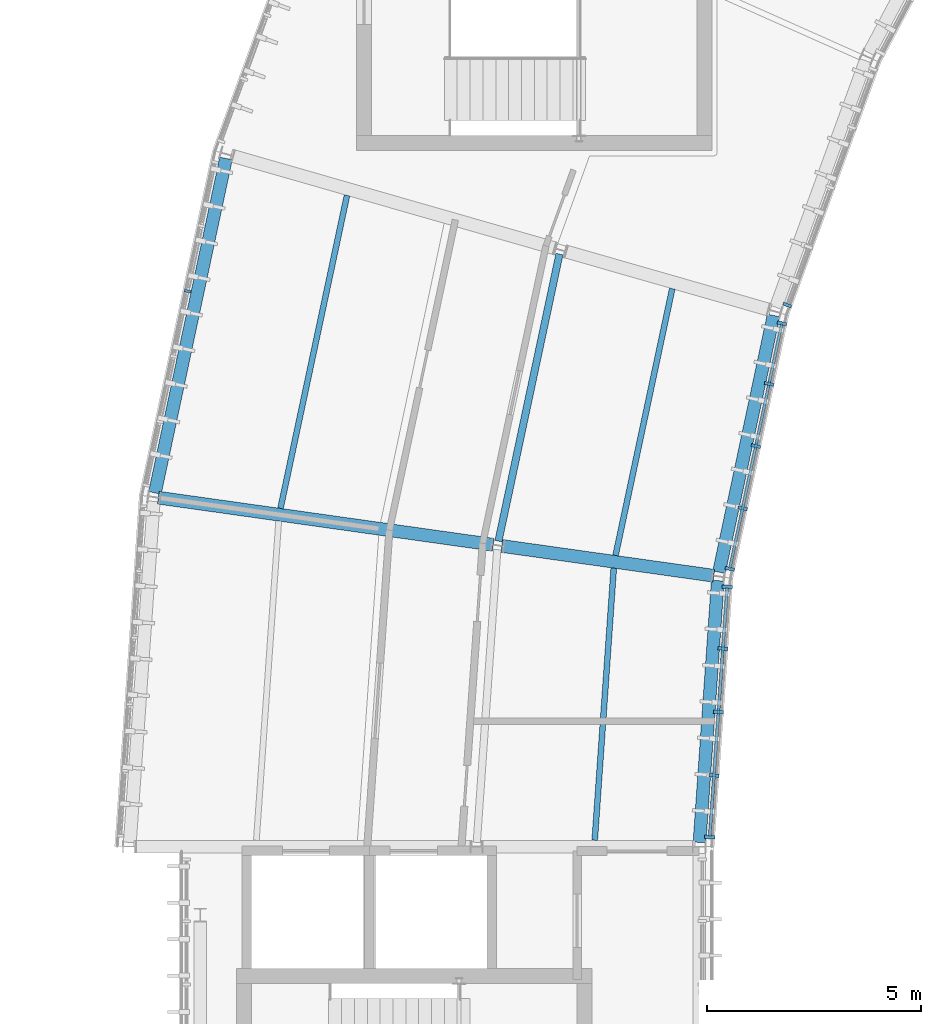
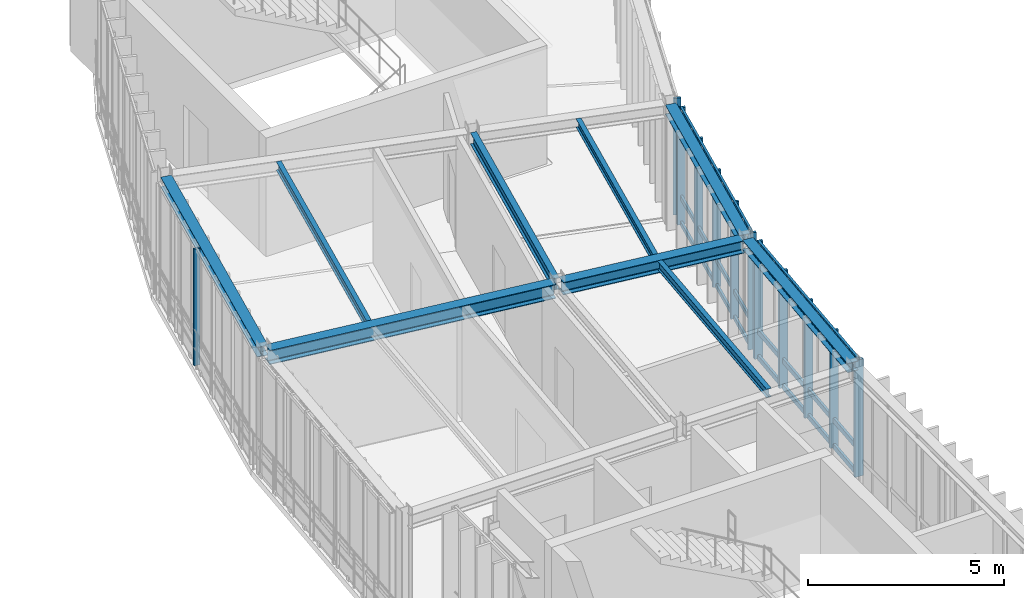
# One storey, part 9 of 42: 18 members, 9 beams, 4 elements without a shape of their own.
"""IFC4 building model written with IfcOpenShell, lengths in metres."""

from ifc_helpers import new_model, si_unit, direction, frame, origin, origin_2d, place, context, subcontext, project, spatial, rectangle, i_section, extrude, material, layer, layer_set, material_profile, profile_set, type_object, element, aggregate, save


model = new_model("IFC4")

# Units and contexts
model_context = context("Model", 3, precision=1e-05, world=origin(), true_north=direction((0.0, 1.0)))
body_context = subcontext(model_context, "Body", "Model", "MODEL_VIEW")
ifc_project = project(units=[si_unit("LENGTHUNIT", "METRE"), si_unit("AREAUNIT", "SQUARE_METRE"), si_unit("VOLUMEUNIT", "CUBIC_METRE"), si_unit("PLANEANGLEUNIT", "RADIAN"), si_unit("MASSUNIT", "GRAM", prefix="KILO"), si_unit("THERMODYNAMICTEMPERATUREUNIT", "KELVIN"), si_unit("POWERUNIT", "WATT")], contexts=[model_context])

# Site, building, storey
site_placement = place(None, origin())
site = spatial("IfcSite", under=ifc_project, at=site_placement, CompositionType="ELEMENT")
building_placement = place(site_placement, origin())
building = spatial("IfcBuilding", under=site, at=building_placement, Name="Solvatero Civic Police Headquarters", CompositionType="ELEMENT")
storey_placement = place(building_placement, frame((0.0, 0.0, 21.60009765625)))
storey = spatial("IfcBuildingStorey", under=building, at=storey_placement, Name="L05", CompositionType="ELEMENT", Elevation=21.60009765625)

# Beams
ifc_material_1 = material(Name="Steel S355", Category="steel")
ifc_material_profile_1 = material_profile(ifc_material_1, i_section(OverallWidth=0.300048828125, OverallDepth=0.2900390625, WebThickness=0.008544921875, FlangeThickness=0.013916015625, FilletRadius=0.027099609375, at=origin_2d()), Name="HEA 300")
ifc_profile_set_1 = profile_set([ifc_material_profile_1], Name="Steel S355")
beam_type_1 = type_object("IfcBeamType", Name="BM-ST-HEA300", PredefinedType="SPANDREL", material=ifc_profile_set_1)
beam_1_placement = place(storey_placement, frame((50.385986328125, 38.40234375, 3.554931640625), z_axis=(-0.207917848731, -0.978146291809, 0.0), x_axis=(0.978146291809, -0.207917848731, 0.0)))
element("IfcBeam", 1, at=beam_1_placement, inside=storey, type_object=beam_type_1, Name="Perimeter / radial spandrel beam BM-R2-L05-ARC-CIN-B11", PredefinedType="SPANDREL", context=body_context, shape_type="SweptSolid", body=[
    extrude(i_section(OverallWidth=0.300048828125, OverallDepth=0.2900390625, WebThickness=0.008544921875, FlangeThickness=0.013916015625, FilletRadius=0.027099609375, at=origin_2d()), origin(), (0.0, 0.0, 1.0), 6.126953125),
])
beam_2_placement = place(storey_placement, frame((49.084228515625, 32.211669921875, 3.554931640625), z_axis=(-0.069734750573, -0.997565569054, 0.0), x_axis=(0.997565569054, -0.069734750573, 0.0)))
element("IfcBeam", 2, at=beam_2_placement, inside=storey, type_object=beam_type_1, Name="Perimeter / radial spandrel beam BM-R2-L05-ARC-CIN-B12", PredefinedType="SPANDREL", context=body_context, shape_type="SweptSolid", body=[
    extrude(i_section(OverallWidth=0.300048828125, OverallDepth=0.2900390625, WebThickness=0.008544921875, FlangeThickness=0.013916015625, FilletRadius=0.027099609375, at=origin_2d()), origin(), (0.0, 0.0, 1.0), 6.126708984375),
])
ifc_material_profile_2 = material_profile(ifc_material_1, i_section(OverallWidth=0.300048828125, OverallDepth=0.31005859375, WebThickness=0.009033203125, FlangeThickness=0.015380859375, FilletRadius=0.027099609375, at=origin_2d()), Name="HEA 320")
ifc_profile_set_2 = profile_set([ifc_material_profile_2], Name="Steel S355")
beam_type_2 = type_object("IfcBeamType", Name="BM-ST-HEA320", PredefinedType="SPANDREL", material=ifc_profile_set_2)
beam_3_placement = place(storey_placement, frame((37.601318359375, 42.068359375, 3.544921875), z_axis=(-0.207912160321, -0.978147500938, 0.0), x_axis=(0.978147500938, -0.207912160321, 0.0)))
element("IfcBeam", 3, at=beam_3_placement, inside=storey, type_object=beam_type_2, Name="Perimeter / radial spandrel beam BM-R2-L05-ARC-COUT-B11", PredefinedType="SPANDREL", context=body_context, shape_type="SweptSolid", body=[
    extrude(i_section(OverallWidth=0.300048828125, OverallDepth=0.31005859375, WebThickness=0.009033203125, FlangeThickness=0.015380859375, FilletRadius=0.027099609375, at=origin_2d()), origin(), (0.0, 0.0, 1.0), 7.982666015625),
])
ifc_material_profile_3 = material_profile(ifc_material_1, i_section(OverallWidth=0.300048828125, OverallDepth=0.389892578125, WebThickness=0.010986328125, FlangeThickness=0.01904296875, FilletRadius=0.027099609375, at=origin_2d()), Name="HEA 400")
ifc_profile_set_3 = profile_set([ifc_material_profile_3], Name="Steel S355")
beam_type_3 = type_object("IfcBeamType", Name="BM-ST-HEA400", PredefinedType="BEAM", material=ifc_profile_set_3)
beam_4_placement = place(storey_placement, frame((48.9921875, 32.325439453125, 3.5048828125), z_axis=(-0.990269200152, 0.139165050317, 0.0), x_axis=(-0.139165050317, -0.990269200152, 0.0)))
element("IfcBeam", 4, at=beam_4_placement, inside=storey, type_object=beam_type_3, Name="Primary girder BM-R2-L05-ARC-RAD1-S11", PredefinedType="BEAM", context=body_context, shape_type="SweptSolid", body=[
    extrude(i_section(OverallWidth=0.300048828125, OverallDepth=0.389892578125, WebThickness=0.010986328125, FlangeThickness=0.01904296875, FilletRadius=0.027099609375, at=origin_2d()), origin(), (0.0, 0.0, 1.0), 4.999755859375),
])
ifc_material_profile_4 = material_profile(ifc_material_1, i_section(OverallWidth=0.300048828125, OverallDepth=0.43994140625, WebThickness=0.011474609375, FlangeThickness=0.02099609375, FilletRadius=0.027099609375, at=origin_2d()), Name="HEA 450")
ifc_profile_set_4 = profile_set([ifc_material_profile_4], Name="Steel S355")
beam_type_4 = type_object("IfcBeamType", Name="BM-ST-HEA450", PredefinedType="BEAM", material=ifc_profile_set_4)
beam_5_placement = place(storey_placement, frame((43.843017578125, 33.049072265625, 3.47998046875), z_axis=(-0.990265898664, 0.139188540993, 0.0), x_axis=(-0.139188540993, -0.990265898664, 0.0)))
element("IfcBeam", 5, at=beam_5_placement, inside=storey, type_object=beam_type_4, Name="Primary girder BM-R2-L05-ARC-RAD2-S11", PredefinedType="BEAM", context=body_context, shape_type="SweptSolid", body=[
    extrude(i_section(OverallWidth=0.300048828125, OverallDepth=0.43994140625, WebThickness=0.011474609375, FlangeThickness=0.02099609375, FilletRadius=0.027099609375, at=origin_2d()), origin(), (0.0, 0.0, 1.0), 7.900146484375),
])
ifc_material_profile_5 = material_profile(ifc_material_1, i_section(OverallWidth=0.135009765625, OverallDepth=0.27001953125, WebThickness=0.006591796875, FlangeThickness=0.01025390625, FilletRadius=0.014892578125, at=origin_2d()), Name="IPE 270")
ifc_profile_set_5 = profile_set([ifc_material_profile_5], Name="Steel S355")
beam_type_5 = type_object("IfcBeamType", Name="BM-ST-IPE270", PredefinedType="BEAM", material=ifc_profile_set_5)
beam_6_placement = place(storey_placement, frame((48.0205078125, 39.02880859375, 3.56494140625), z_axis=(-0.207926610171, -0.978144429409, 0.0), x_axis=(0.978144429409, -0.207926610171, 0.0)))
element("IfcBeam", 6, at=beam_6_placement, inside=storey, type_object=beam_type_5, Name="Composite floor beam BM-R2-L05-ARC-CS1-B11", PredefinedType="BEAM", context=body_context, shape_type="SweptSolid", body=[
    extrude(i_section(OverallWidth=0.135009765625, OverallDepth=0.27001953125, WebThickness=0.006591796875, FlangeThickness=0.01025390625, FilletRadius=0.014892578125, at=origin_2d()), origin(), (0.0, 0.0, 1.0), 6.36865234375),
])
beam_7_placement = place(storey_placement, frame((40.426513671875, 41.206298828125, 3.56494140625), z_axis=(-0.207904092949, -0.97814921568, 0.0), x_axis=(0.97814921568, -0.207904092949, 0.0)))
element("IfcBeam", 7, at=beam_7_placement, inside=storey, type_object=beam_type_5, Name="Composite floor beam BM-R2-L05-ARC-CS2-B11", PredefinedType="BEAM", context=body_context, shape_type="SweptSolid", body=[
    extrude(i_section(OverallWidth=0.135009765625, OverallDepth=0.27001953125, WebThickness=0.006591796875, FlangeThickness=0.01025390625, FilletRadius=0.014892578125, at=origin_2d()), origin(), (0.0, 0.0, 1.0), 7.470947265625),
])
beam_8_placement = place(storey_placement, frame((46.65478515625, 32.5029296875, 3.56494140625), z_axis=(-0.069767710919, -0.997563264416, 0.0), x_axis=(0.997563264416, -0.069767710919, 0.0)))
element("IfcBeam", 8, at=beam_8_placement, inside=storey, type_object=beam_type_5, Name="Composite floor beam BM-R2-L05-ARC-CS1-B12", PredefinedType="BEAM", context=body_context, shape_type="SweptSolid", body=[
    extrude(i_section(OverallWidth=0.135009765625, OverallDepth=0.27001953125, WebThickness=0.006591796875, FlangeThickness=0.01025390625, FilletRadius=0.014892578125, at=origin_2d()), origin(), (0.0, 0.0, 1.0), 6.368896484375),
])
ifc_material_profile_6 = material_profile(ifc_material_1, i_section(OverallWidth=0.169921875, OverallDepth=0.360107421875, WebThickness=0.008056640625, FlangeThickness=0.0126953125, FilletRadius=0.01806640625, at=origin_2d()), Name="IPE 360")
ifc_profile_set_6 = profile_set([ifc_material_profile_6], Name="Steel S355")
beam_type_6 = type_object("IfcBeamType", Name="BM-ST-IPE360", PredefinedType="BEAM", material=ifc_profile_set_6)
beam_9_placement = place(storey_placement, frame((45.387451171875, 39.835693359375, 3.52001953125), z_axis=(-0.207927785808, -0.9781441795, 0.0), x_axis=(0.9781441795, -0.207927785808, 0.0)))
element("IfcBeam", 9, at=beam_9_placement, inside=storey, type_object=beam_type_6, Name="Composite floor beam BM-R2-L05-ARC-CMID-B11", PredefinedType="BEAM", context=body_context, shape_type="SweptSolid", body=[
    extrude(i_section(OverallWidth=0.169921875, OverallDepth=0.360107421875, WebThickness=0.008056640625, FlangeThickness=0.0126953125, FilletRadius=0.01806640625, at=origin_2d()), origin(), (0.0, 0.0, 1.0), 6.852294921875),
])

# Curtain wall, members
ifc_material_2 = material(Name="Anodized Bronze Aluminium", Category="aluminium")
ifc_layer_1 = layer(ifc_material_2, 0.179931640625)
ifc_layer_set_1 = layer_set([ifc_layer_1], Name="Anodized Bronze Aluminium")
curtain_wall_type_1 = type_object("IfcCurtainWallType", Name="CW-ARC-IN", PredefinedType="USERDEFINED", material=ifc_layer_set_1)
curtain_wall_1_placement = place(storey_placement, origin())
curtain_wall_1 = element("IfcCurtainWall", 10, at=curtain_wall_1_placement, inside=storey, type_object=curtain_wall_type_1, Name="Curtain Wall CW-R2-L05-ARC-IN-B12", ObjectType="UNITISED", PredefinedType="USERDEFINED")
ifc_material_profile_7 = material_profile(ifc_material_2, rectangle(XDim=0.080078125, YDim=0.239990234375, at=origin_2d()), Name="ALU MULLION 80x240")
ifc_profile_set_7 = profile_set([ifc_material_profile_7], Name="Anodized Bronze Aluminium")
member_type_1 = type_object("IfcMemberType", Name="CWM-140x60", PredefinedType="MULLION", material=ifc_profile_set_7)
member_1_placement = place(storey_placement, frame((49.30419921875, 32.06591796875, 0.0), z_axis=(0.0, 0.0, 1.0), x_axis=(-0.069773884511, -0.997562832628, 0.0)))
member_1 = element("IfcMember", 11, at=member_1_placement, type_object=member_type_1, Name="CW-R2-L05-ARC-IN-B12 Mullion 1", PredefinedType="MULLION", context=body_context, shape_type="SweptSolid", body=[
    extrude(rectangle(XDim=0.080078125, YDim=0.239990234375, at=origin_2d()), origin(), (0.0, 0.0, 1.0), 3.639892578125),
])
member_2_placement = place(storey_placement, frame((49.20361328125, 30.625244140625, 0.0), z_axis=(0.0, 0.0, 1.0), x_axis=(-0.069773884511, -0.997562832628, 0.0)))
member_2 = element("IfcMember", 12, at=member_2_placement, type_object=member_type_1, Name="CW-R2-L05-ARC-IN-B12 Mullion 2", PredefinedType="MULLION", context=body_context, shape_type="SweptSolid", body=[
    extrude(rectangle(XDim=0.080078125, YDim=0.239990234375, at=origin_2d()), origin(), (0.0, 0.0, 1.0), 3.639892578125),
])
member_3_placement = place(storey_placement, frame((49.099853515625, 29.144775390625, 0.0), z_axis=(0.0, 0.0, 1.0), x_axis=(-0.069773884511, -0.997562832628, 0.0)))
member_3 = element("IfcMember", 13, at=member_3_placement, type_object=member_type_1, Name="CW-R2-L05-ARC-IN-B12 Mullion 3", PredefinedType="MULLION", context=body_context, shape_type="SweptSolid", body=[
    extrude(rectangle(XDim=0.080078125, YDim=0.239990234375, at=origin_2d()), origin(), (0.0, 0.0, 1.0), 3.639892578125),
])
member_4_placement = place(storey_placement, frame((48.996337890625, 27.664306640625, 0.0), z_axis=(0.0, 0.0, 1.0), x_axis=(-0.069773884511, -0.997562832628, 0.0)))
member_4 = element("IfcMember", 14, at=member_4_placement, type_object=member_type_1, Name="CW-R2-L05-ARC-IN-B12 Mullion 4", PredefinedType="MULLION", context=body_context, shape_type="SweptSolid", body=[
    extrude(rectangle(XDim=0.080078125, YDim=0.239990234375, at=origin_2d()), origin(), (0.0, 0.0, 1.0), 3.639892578125),
])
member_5_placement = place(storey_placement, frame((48.895751953125, 26.223388671875, 0.0), z_axis=(0.0, 0.0, 1.0), x_axis=(-0.069773884511, -0.997562832628, 0.0)))
member_5 = element("IfcMember", 15, at=member_5_placement, type_object=member_type_1, Name="CW-R2-L05-ARC-IN-B12 Mullion 5", PredefinedType="MULLION", context=body_context, shape_type="SweptSolid", body=[
    extrude(rectangle(XDim=0.080078125, YDim=0.239990234375, at=origin_2d()), origin(), (0.0, 0.0, 1.0), 3.639892578125),
])

# Curtain wall, member
ifc_layer_2 = layer(ifc_material_2, 0.179931640625)
ifc_layer_set_2 = layer_set([ifc_layer_2], Name="Anodized Bronze Aluminium")
curtain_wall_type_2 = type_object("IfcCurtainWallType", Name="CW-ARC-OUT", PredefinedType="USERDEFINED", material=ifc_layer_set_2)
curtain_wall_2_placement = place(storey_placement, origin())
curtain_wall_2 = element("IfcCurtainWall", 16, at=curtain_wall_2_placement, inside=storey, type_object=curtain_wall_type_2, Name="Curtain Wall CW-R2-L05-ARC-OUT-B11", ObjectType="UNITISED", PredefinedType="USERDEFINED")
ifc_material_profile_8 = material_profile(ifc_material_2, rectangle(XDim=0.06005859375, YDim=0.159912109375, at=origin_2d()), Name="ALU MULLION 60x160")
ifc_profile_set_8 = profile_set([ifc_material_profile_8], Name="Anodized Bronze Aluminium")
member_type_2 = type_object("IfcMemberType", Name="CWM-180x70", PredefinedType="MULLION", material=ifc_profile_set_8)
member_6_placement = place(storey_placement, frame((36.7080078125, 38.969482421875, 0.0), z_axis=(0.0, 0.0, 1.0), x_axis=(-0.207911690818, -0.978147600734, 0.0)))
member_6 = element("IfcMember", 17, at=member_6_placement, type_object=member_type_2, Name="CW-R2-L05-ARC-OUT-B11 Mullion 3", PredefinedType="MULLION", context=body_context, shape_type="SweptSolid", body=[
    extrude(rectangle(XDim=0.06005859375, YDim=0.159912109375, at=origin_2d()), origin(), (0.0, 0.0, 1.0), 3.639892578125),
])
aggregate(curtain_wall_2, [member_6])

curtain_wall_3_placement = place(storey_placement, origin())
curtain_wall_3 = element("IfcCurtainWall", 18, at=curtain_wall_3_placement, inside=storey, type_object=curtain_wall_type_1, Name="Curtain Wall CW-R2-L05-ARC-IN-B10", ObjectType="UNITISED", PredefinedType="USERDEFINED")
ifc_material_profile_9 = material_profile(ifc_material_2, rectangle(XDim=0.070068359375, YDim=0.199951171875, at=origin_2d()), Name="ALU MULLION 70x200")
ifc_profile_set_9 = profile_set([ifc_material_profile_9], Name="Anodized Bronze Aluminium")
member_type_3 = type_object("IfcMemberType", Name="CWM-220x80", PredefinedType="MULLION", material=ifc_profile_set_9)
member_7_placement = place(storey_placement, frame((50.70458984375, 38.647216796875, 0.0), z_axis=(0.0, 0.0, 1.0), x_axis=(-0.342020143326, -0.939692620786, 0.0)))
member_7 = element("IfcMember", 19, at=member_7_placement, type_object=member_type_3, Name="CW-R2-L05-ARC-IN-B10 Mullion 5", PredefinedType="MULLION", context=body_context, shape_type="SweptSolid", body=[
    extrude(rectangle(XDim=0.070068359375, YDim=0.199951171875, at=origin_2d()), origin(), (0.0, 0.0, 1.0), 3.639892578125),
])
aggregate(curtain_wall_3, [member_7])

# Curtain wall, members
curtain_wall_4_placement = place(storey_placement, origin())
curtain_wall_4 = element("IfcCurtainWall", 20, at=curtain_wall_4_placement, inside=storey, type_object=curtain_wall_type_1, Name="Curtain Wall CW-R2-L05-ARC-IN-B11", ObjectType="UNITISED", PredefinedType="USERDEFINED")
ifc_material_profile_10 = material_profile(ifc_material_2, rectangle(XDim=0.074951171875, YDim=0.219970703125, at=origin_2d()), Name="ALU MULLION 75x220")
ifc_profile_set_10 = profile_set([ifc_material_profile_10], Name="Anodized Bronze Aluminium")
member_type_4 = type_object("IfcMemberType", Name="CWM-250x85", PredefinedType="MULLION", material=ifc_profile_set_10)
member_8_placement = place(storey_placement, frame((50.581298828125, 38.2177734375, 0.0), z_axis=(0.0, 0.0, 1.0), x_axis=(-0.20789461889, -0.978151229328, 0.0)))
member_8 = element("IfcMember", 21, at=member_8_placement, type_object=member_type_4, Name="CW-R2-L05-ARC-IN-B11 Mullion 1", PredefinedType="MULLION", context=body_context, shape_type="SweptSolid", body=[
    extrude(rectangle(XDim=0.074951171875, YDim=0.219970703125, at=origin_2d()), origin(), (0.0, 0.0, 1.0), 3.639892578125),
])
member_9_placement = place(storey_placement, frame((50.281005859375, 36.804931640625, 0.0), z_axis=(0.0, 0.0, 1.0), x_axis=(-0.20789461889, -0.978151229328, 0.0)))
member_9 = element("IfcMember", 22, at=member_9_placement, type_object=member_type_4, Name="CW-R2-L05-ARC-IN-B11 Mullion 2", PredefinedType="MULLION", context=body_context, shape_type="SweptSolid", body=[
    extrude(rectangle(XDim=0.074951171875, YDim=0.219970703125, at=origin_2d()), origin(), (0.0, 0.0, 1.0), 3.639892578125),
])
member_10_placement = place(storey_placement, frame((49.972412109375, 35.353271484375, 0.0), z_axis=(0.0, 0.0, 1.0), x_axis=(-0.20789461889, -0.978151229328, 0.0)))
member_10 = element("IfcMember", 23, at=member_10_placement, type_object=member_type_4, Name="CW-R2-L05-ARC-IN-B11 Mullion 3", PredefinedType="MULLION", context=body_context, shape_type="SweptSolid", body=[
    extrude(rectangle(XDim=0.074951171875, YDim=0.219970703125, at=origin_2d()), origin(), (0.0, 0.0, 1.0), 3.639892578125),
])
member_11_placement = place(storey_placement, frame((49.663818359375, 33.9013671875, 0.0), z_axis=(0.0, 0.0, 1.0), x_axis=(-0.20789461889, -0.978151229328, 0.0)))
member_11 = element("IfcMember", 24, at=member_11_placement, type_object=member_type_4, Name="CW-R2-L05-ARC-IN-B11 Mullion 4", PredefinedType="MULLION", context=body_context, shape_type="SweptSolid", body=[
    extrude(rectangle(XDim=0.074951171875, YDim=0.219970703125, at=origin_2d()), origin(), (0.0, 0.0, 1.0), 3.639892578125),
])
member_12_placement = place(storey_placement, frame((49.363525390625, 32.48876953125, 0.0), z_axis=(0.0, 0.0, 1.0), x_axis=(-0.20789461889, -0.978151229328, 0.0)))
member_12 = element("IfcMember", 25, at=member_12_placement, type_object=member_type_4, Name="CW-R2-L05-ARC-IN-B11 Mullion 5", PredefinedType="MULLION", context=body_context, shape_type="SweptSolid", body=[
    extrude(rectangle(XDim=0.074951171875, YDim=0.219970703125, at=origin_2d()), origin(), (0.0, 0.0, 1.0), 3.639892578125),
])

# Member
ifc_material_profile_11 = material_profile(ifc_material_2, rectangle(XDim=0.070068359375, YDim=0.159912109375, at=origin_2d()), Name="ALU TRANSOM 70x160")
ifc_profile_set_11 = profile_set([ifc_material_profile_11], Name="Anodized Bronze Aluminium")
member_type_5 = type_object("IfcMemberType", Name="CWT-120x55", PredefinedType="USERDEFINED", material=ifc_profile_set_11)
member_13_placement = place(storey_placement, frame((49.303466796875, 32.055908203125, 0.039794921875), z_axis=(-0.069769604768, -0.997563131962, 0.0), x_axis=(0.997563131962, -0.069769604768, 0.0)))
member_13 = element("IfcMember", 26, at=member_13_placement, type_object=member_type_5, Name="CW-R2-L05-ARC-IN-B12 Transom 1", ObjectType="TRANSOM", PredefinedType="USERDEFINED", context=body_context, shape_type="SweptSolid", body=[
    extrude(rectangle(XDim=0.070068359375, YDim=0.159912109375, at=origin_2d()), origin(), (0.0, 0.0, 1.0), 5.836669921875),
])

member_14_placement = place(storey_placement, frame((49.303466796875, 32.055908203125, 0.849853515625), z_axis=(-0.069769604768, -0.997563131962, 0.0), x_axis=(0.997563131962, -0.069769604768, 0.0)))
member_14 = element("IfcMember", 27, at=member_14_placement, type_object=member_type_5, Name="CW-R2-L05-ARC-IN-B12 Transom 2", ObjectType="TRANSOM", PredefinedType="USERDEFINED", context=body_context, shape_type="SweptSolid", body=[
    extrude(rectangle(XDim=0.070068359375, YDim=0.159912109375, at=origin_2d()), origin(), (0.0, 0.0, 1.0), 5.836669921875),
])

member_15_placement = place(storey_placement, frame((49.303466796875, 32.055908203125, 3.599853515625), z_axis=(-0.069769604768, -0.997563131962, 0.0), x_axis=(0.997563131962, -0.069769604768, 0.0)))
member_15 = element("IfcMember", 28, at=member_15_placement, type_object=member_type_5, Name="CW-R2-L05-ARC-IN-B12 Transom 3", ObjectType="TRANSOM", PredefinedType="USERDEFINED", context=body_context, shape_type="SweptSolid", body=[
    extrude(rectangle(XDim=0.070068359375, YDim=0.159912109375, at=origin_2d()), origin(), (0.0, 0.0, 1.0), 5.836669921875),
])

aggregate(curtain_wall_1, [member_1, member_2, member_3, member_4, member_5, member_13, member_14, member_15])

ifc_material_profile_12 = material_profile(ifc_material_2, rectangle(XDim=0.06494140625, YDim=0.139892578125, at=origin_2d()), Name="ALU TRANSOM 65x140")
ifc_profile_set_12 = profile_set([ifc_material_profile_12], Name="Anodized Bronze Aluminium")
member_type_6 = type_object("IfcMemberType", Name="CWT-180x70", PredefinedType="USERDEFINED", material=ifc_profile_set_12)
member_16_placement = place(storey_placement, frame((50.5791015625, 38.2080078125, 0.039794921875), z_axis=(-0.207877764989, -0.978154811276, 0.0), x_axis=(0.978154811276, -0.207877764989, 0.0)))
member_16 = element("IfcMember", 29, at=member_16_placement, type_object=member_type_6, Name="CW-R2-L05-ARC-IN-B11 Transom 1", ObjectType="TRANSOM", PredefinedType="USERDEFINED", context=body_context, shape_type="SweptSolid", body=[
    extrude(rectangle(XDim=0.06494140625, YDim=0.139892578125, at=origin_2d()), origin(), (0.0, 0.0, 1.0), 5.8369140625),
])

member_17_placement = place(storey_placement, frame((50.5791015625, 38.2080078125, 0.849853515625), z_axis=(-0.207877764989, -0.978154811276, 0.0), x_axis=(0.978154811276, -0.207877764989, 0.0)))
member_17 = element("IfcMember", 30, at=member_17_placement, type_object=member_type_6, Name="CW-R2-L05-ARC-IN-B11 Transom 2", ObjectType="TRANSOM", PredefinedType="USERDEFINED", context=body_context, shape_type="SweptSolid", body=[
    extrude(rectangle(XDim=0.06494140625, YDim=0.139892578125, at=origin_2d()), origin(), (0.0, 0.0, 1.0), 5.8369140625),
])

member_18_placement = place(storey_placement, frame((50.5791015625, 38.2080078125, 3.599853515625), z_axis=(-0.207877764989, -0.978154811276, 0.0), x_axis=(0.978154811276, -0.207877764989, 0.0)))
member_18 = element("IfcMember", 31, at=member_18_placement, type_object=member_type_6, Name="CW-R2-L05-ARC-IN-B11 Transom 3", ObjectType="TRANSOM", PredefinedType="USERDEFINED", context=body_context, shape_type="SweptSolid", body=[
    extrude(rectangle(XDim=0.06494140625, YDim=0.139892578125, at=origin_2d()), origin(), (0.0, 0.0, 1.0), 5.8369140625),
])

aggregate(curtain_wall_4, [member_8, member_9, member_10, member_11, member_12, member_16, member_17, member_18])

save(model, "model.ifc")
